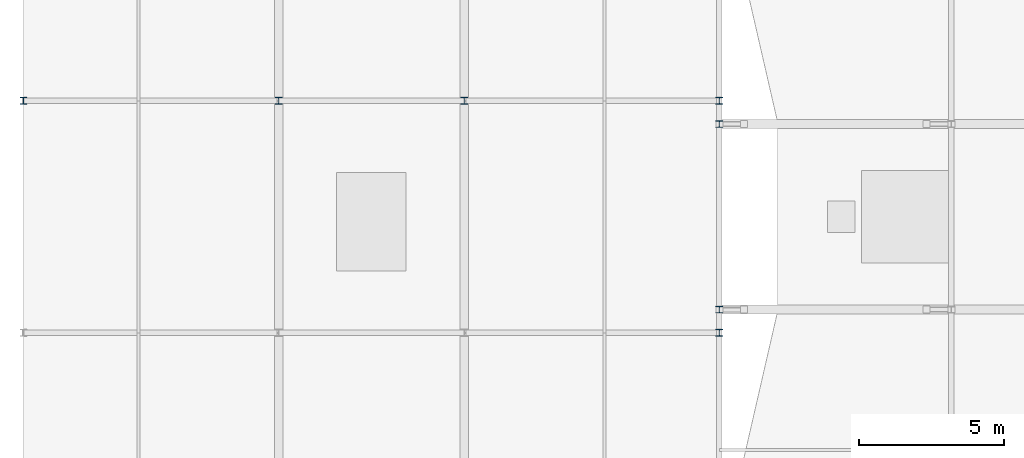
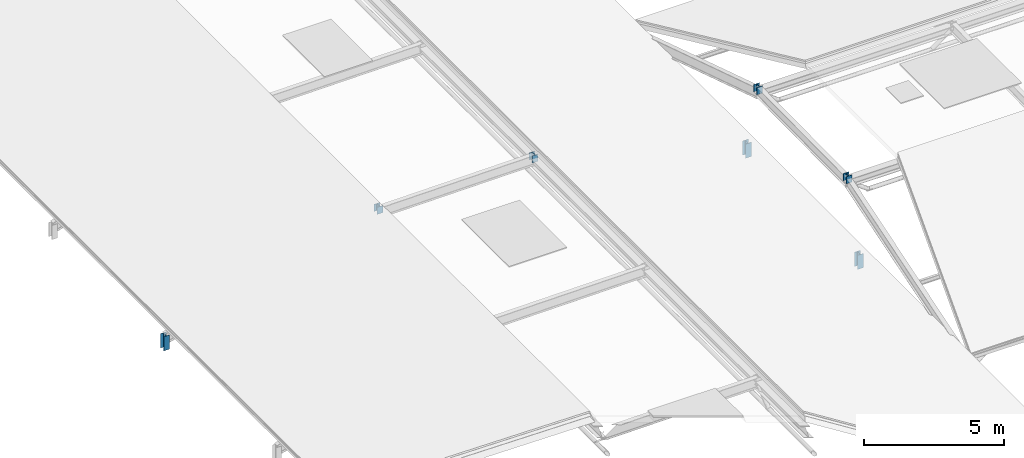
# One storey, part 19 of 54: 7 members.
"""IFC4 building model written with IfcOpenShell, lengths in metres."""

from ifc_helpers import new_model, si_unit, direction, frame, origin, origin_2d, place, context, subcontext, project, spatial, i_section, extrude, material, material_profile, profile_set, type_object, element, save


model = new_model("IFC4")

# Units and contexts
model_context = context("Model", 3, precision=1e-05, world=origin(), true_north=direction((0.0, 1.0)))
body_context = subcontext(model_context, "Body", "Model", "MODEL_VIEW")
ifc_project = project(units=[si_unit("LENGTHUNIT", "METRE"), si_unit("AREAUNIT", "SQUARE_METRE"), si_unit("VOLUMEUNIT", "CUBIC_METRE"), si_unit("PLANEANGLEUNIT", "RADIAN"), si_unit("MASSUNIT", "GRAM", prefix="KILO")], contexts=[model_context])

# Site, building, storey
site_placement = place(None, origin())
site = spatial("IfcSite", under=ifc_project, at=site_placement, CompositionType="ELEMENT")
building_placement = place(site_placement, origin())
building = spatial("IfcBuilding", under=site, at=building_placement, Name="Kenh Van Central Station", CompositionType="ELEMENT")
storey_placement = place(building_placement, frame((0.0, 0.0, 15.0)))
storey = spatial("IfcBuildingStorey", under=building, at=storey_placement, Name="L03", CompositionType="ELEMENT", Elevation=15.0)

# Members
ifc_material = material(Name="Steel S355", Category="steel")
ifc_material_profile = material_profile(ifc_material, i_section(OverallWidth=0.239990234375, OverallDepth=0.22998046875, WebThickness=0.007568359375, FlangeThickness=0.011962890625, FilletRadius=0.02099609375, at=origin_2d()), Name="HEA 240")
ifc_profile_set = profile_set([ifc_material_profile], Name="Steel S355")
member_type = type_object("IfcMemberType", Name="MEM-ROOF-POST240", PredefinedType="POST", material=ifc_profile_set)
for number, where, z_axis, x_axis, name in (
    (1, (48.0, 24.800048828125, 2.29833984375), (0.0, 0.0, 1.0), (1.0, 0.0, 0.0), "L03 crown skylight post 041"),
    (2, (48.0, 31.199951171875, 2.29833984375), (0.0, 0.0, 1.0), (1.0, 0.0, 0.0), "L03 crown skylight post 041"),
):
    element("IfcMember", number, at=place(storey_placement, frame(where, z_axis=z_axis, x_axis=x_axis)), inside=storey, type_object=member_type, Name=name, PredefinedType="POST", context=body_context, shape_type="SweptSolid", body=[
        extrude(i_section(OverallWidth=0.239990234375, OverallDepth=0.22998046875, WebThickness=0.007568359375, FlangeThickness=0.011962890625, FilletRadius=0.02099609375, at=origin_2d()), origin(), (0.0, 0.0, 1.0), 0.316650390625),
    ])
for number, where, z_axis, x_axis, name in (
    (3, (48.0, 24.0, -0.949951171875), (0.0, 0.0, 1.0), (1.0, 0.0, 0.0), "L03 roof eave post 102"),
    (4, (24.0, 32.0, -0.949951171875), (0.0, 0.0, 1.0), (1.0, 0.0, 0.0), "L03 roof eave post 105"),
    (5, (48.0, 32.0, -0.949951171875), (0.0, 0.0, 1.0), (1.0, 0.0, 0.0), "L03 roof eave post 105"),
):
    element("IfcMember", number, at=place(storey_placement, frame(where, z_axis=z_axis, x_axis=x_axis)), inside=storey, type_object=member_type, Name=name, PredefinedType="POST", context=body_context, shape_type="SweptSolid", body=[
        extrude(i_section(OverallWidth=0.239990234375, OverallDepth=0.22998046875, WebThickness=0.007568359375, FlangeThickness=0.011962890625, FilletRadius=0.02099609375, at=origin_2d()), origin(), (0.0, 0.0, 1.0), 0.619384765625),
    ])
for number, where, z_axis, x_axis, name in (
    (6, (32.800048828125, 32.0, 1.91943359375), (0.0, 0.0, 1.0), (1.0, 0.0, 0.0), "L03 crown skylight post 105"),
    (7, (39.199951171875, 32.0, 1.91943359375), (0.0, 0.0, 1.0), (1.0, 0.0, 0.0), "L03 crown skylight post 105"),
):
    element("IfcMember", number, at=place(storey_placement, frame(where, z_axis=z_axis, x_axis=x_axis)), inside=storey, type_object=member_type, Name=name, PredefinedType="POST", context=body_context, shape_type="SweptSolid", body=[
        extrude(i_section(OverallWidth=0.239990234375, OverallDepth=0.22998046875, WebThickness=0.007568359375, FlangeThickness=0.011962890625, FilletRadius=0.02099609375, at=origin_2d()), origin(), (0.0, 0.0, 1.0), 0.310546875),
    ])

save(model, "model.ifc")
